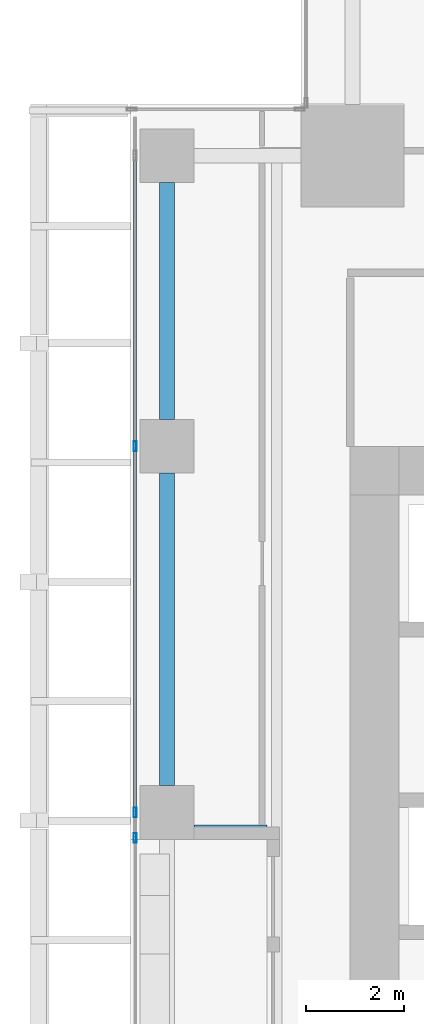
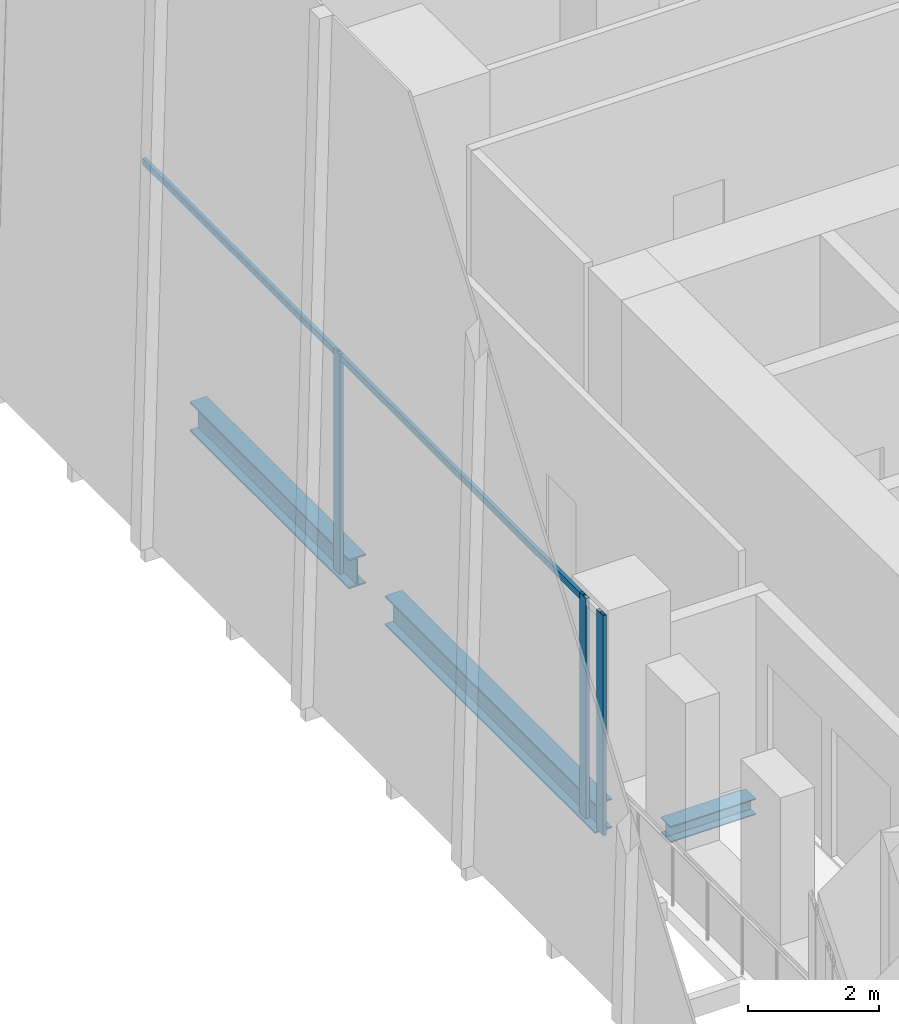
# One storey, part 12 of 35: 5 members, 3 beams, 1 element without a shape of its own.
"""IFC4 building model written with IfcOpenShell, lengths in metres."""

from ifc_helpers import new_model, si_unit, direction, frame, origin, origin_2d, place, context, subcontext, project, spatial, hollow_rectangle, i_section, extrude, source, transform, mapped, material, material_profile, profile_set, type_object, element, aggregate, save


model = new_model("IFC4")

# Units and contexts
model_context = context("Model", 3, precision=1e-05, world=origin(), true_north=direction((0.0, 1.0)))
body_context = subcontext(model_context, "Body", "Model", "MODEL_VIEW")
ifc_project = project(units=[si_unit("LENGTHUNIT", "METRE"), si_unit("AREAUNIT", "SQUARE_METRE"), si_unit("VOLUMEUNIT", "CUBIC_METRE"), si_unit("PLANEANGLEUNIT", "RADIAN"), si_unit("MASSUNIT", "GRAM", prefix="KILO")], contexts=[model_context])

# Site, building, storey
site_placement = place(None, origin())
site = spatial("IfcSite", under=ifc_project, at=site_placement, CompositionType="ELEMENT")
building_placement = place(site_placement, origin())
building = spatial("IfcBuilding", under=site, at=building_placement, Name="Khomas Fold Tower", CompositionType="ELEMENT")
storey_placement = place(building_placement, frame((0.0, 0.0, 127.89990234375)))
storey = spatial("IfcBuildingStorey", under=building, at=storey_placement, Name="L27", CompositionType="ELEMENT", Elevation=127.89990234375)

# Beams
ifc_material_1 = material(Name="Steel S355", Category="steel")
ifc_material_profile_1 = material_profile(ifc_material_1, i_section(OverallWidth=0.300048828125, OverallDepth=0.550048828125, WebThickness=0.014892578125, FlangeThickness=0.029052734375, at=origin_2d()), Name="HE 550 B")
ifc_profile_set_1 = profile_set([ifc_material_profile_1], Name="Steel S355")
beam_type_1 = type_object("IfcBeamType", Name="HE 550 B spandrel SB2", PredefinedType="SPANDREL", material=ifc_profile_set_1)
shared_shape_1 = source(origin(), body_context, "Body", "SweptSolid", [
    extrude(i_section(OverallWidth=0.300048828125, OverallDepth=0.550048828125, WebThickness=0.014892578125, FlangeThickness=0.029052734375, at=origin_2d()), origin(), (0.0, 0.0, 1.0), 4.849853515625),
])
beam_1_placement = place(storey_placement, frame((2.25, 42.550048828125, -0.574951171875), z_axis=(0.0, 1.0, 0.0), x_axis=(-1.0, 0.0, 0.0)))
element("IfcBeam", 1, at=beam_1_placement, inside=storey, type_object=beam_type_1, Name="SB2", PredefinedType="SPANDREL", context=body_context, shape_type="MappedRepresentation", body=[
    mapped(shared_shape_1, transform((0.0, 0.0, 0.0))),
])
shared_shape_2 = source(origin(), body_context, "Body", "SweptSolid", [
    extrude(i_section(OverallWidth=0.300048828125, OverallDepth=0.550048828125, WebThickness=0.014892578125, FlangeThickness=0.029052734375, at=origin_2d()), origin(), (0.0, 0.0, 1.0), 6.39990234375),
])
beam_2_placement = place(storey_placement, frame((2.25, 35.050048828125, -0.574951171875), z_axis=(0.0, 1.0, 0.0), x_axis=(-1.0, 0.0, 0.0)))
element("IfcBeam", 2, at=beam_2_placement, inside=storey, type_object=beam_type_1, Name="SB2", PredefinedType="SPANDREL", context=body_context, shape_type="MappedRepresentation", body=[
    mapped(shared_shape_2, transform((0.0, 0.0, 0.0))),
])
ifc_material_2 = material(Name="Steel S355", Category="steel")
ifc_material_profile_2 = material_profile(ifc_material_2, i_section(OverallWidth=0.300048828125, OverallDepth=0.300048828125, WebThickness=0.010986328125, FlangeThickness=0.01904296875, at=origin_2d()), Name="HE 300 B")
ifc_profile_set_2 = profile_set([ifc_material_profile_2], Name="Steel S355")
beam_type_2 = type_object("IfcBeamType", Name="HE 300 B beam BB1", PredefinedType="BEAM", material=ifc_profile_set_2)
shared_shape_3 = source(origin(), body_context, "Body", "SweptSolid", [
    extrude(i_section(OverallWidth=0.300048828125, OverallDepth=0.300048828125, WebThickness=0.010986328125, FlangeThickness=0.01904296875, at=origin_2d()), origin(), (0.0, 0.0, 1.0), 1.5),
])
beam_3_placement = place(storey_placement, frame((2.800048828125, 34.10009765625, -0.449951171875), z_axis=(1.0, 0.0, 0.0), x_axis=(0.0, 1.0, 0.0)))
element("IfcBeam", 3, at=beam_3_placement, inside=storey, type_object=beam_type_2, Name="BB1", PredefinedType="BEAM", context=body_context, shape_type="MappedRepresentation", body=[
    mapped(shared_shape_3, transform((0.0, 0.0, 0.0))),
])

# Curtain wall, members
ifc_material_3 = material(Name="Aluminium framed double glazing", Category="aluminium")
curtain_wall_type = type_object("IfcCurtainWallType", Name="SK-Unitised clear-glass wall, growing floors CW1", PredefinedType="NOTDEFINED", material=ifc_material_3)
curtain_wall_placement = place(storey_placement, origin())
curtain_wall = element("IfcCurtainWall", 4, at=curtain_wall_placement, inside=storey, type_object=curtain_wall_type, Name="CW1 run L27 09-0", PredefinedType="NOTDEFINED")
ifc_material_4 = material(Name="Aluminium", Category="aluminium")
ifc_material_profile_3 = material_profile(ifc_material_4, hollow_rectangle(XDim=0.06005859375, YDim=0.1201171875, WallThickness=0.00390625, at=origin_2d()), Name="SK-Unitised clear-glass wall, growing floors transom CW1-T")
ifc_profile_set_3 = profile_set([ifc_material_profile_3], Name="Aluminium")
member_type_1 = type_object("IfcMemberType", Name="SK-Unitised clear-glass wall, growing floors transom CW1-T", PredefinedType="USERDEFINED", material=ifc_profile_set_3)
shared_shape_4 = source(origin(), body_context, "Body", "SweptSolid", [
    extrude(hollow_rectangle(XDim=0.06005859375, YDim=0.1201171875, WallThickness=0.00390625, at=origin_2d()), origin(), (0.0, 0.0, 1.0), 7.43994140625),
])
member_1_placement = place(storey_placement, frame((1.60009765625, 41.969970703125, 4.0400390625), z_axis=(0.0, -1.0, 0.0), x_axis=(1.0, 0.0, 0.0)))
member_1 = element("IfcMember", 5, at=member_1_placement, type_object=member_type_1, Name="CW1 transom 3", ObjectType="TRANSOM", PredefinedType="USERDEFINED", context=body_context, shape_type="MappedRepresentation", body=[
    mapped(shared_shape_4, transform((0.0, 0.0, 0.0))),
])
ifc_material_5 = material(Name="Aluminium", Category="aluminium")
ifc_material_profile_4 = material_profile(ifc_material_5, hollow_rectangle(XDim=0.06005859375, YDim=0.199951171875, WallThickness=0.00390625, at=origin_2d()), Name="SK-Unitised clear-glass wall, growing floors mullion CW1-M")
ifc_profile_set_4 = profile_set([ifc_material_profile_4], Name="Aluminium")
member_type_2 = type_object("IfcMemberType", Name="SK-Unitised clear-glass wall, growing floors mullion CW1-M", PredefinedType="MULLION", material=ifc_profile_set_4)
shared_shape_5 = source(origin(), body_context, "Body", "SweptSolid", [
    extrude(hollow_rectangle(XDim=0.06005859375, YDim=0.199951171875, WallThickness=0.00390625, at=origin_2d()), origin(), (0.0, 0.0, 1.0), 4.10009765625),
])
member_2_placement = place(storey_placement, frame((1.60009765625, 42.0, 0.0), z_axis=(0.0, 0.0, 1.0), x_axis=(1.0, 0.0, 0.0)))
member_2 = element("IfcMember", 6, at=member_2_placement, type_object=member_type_2, Name="CW1 mullion 3", PredefinedType="MULLION", context=body_context, shape_type="MappedRepresentation", body=[
    mapped(shared_shape_5, transform((0.0, 0.0, 0.0))),
])
member_3_placement = place(storey_placement, frame((1.60009765625, 34.5, 0.0), z_axis=(0.0, 0.0, 1.0), x_axis=(1.0, 0.0, 0.0)))
member_3 = element("IfcMember", 7, at=member_3_placement, type_object=member_type_2, Name="CW1 mullion 4", PredefinedType="MULLION", context=body_context, shape_type="MappedRepresentation", body=[
    mapped(shared_shape_5, transform((0.0, 0.0, 0.0))),
])
member_4_placement = place(storey_placement, frame((1.60009765625, 33.97998046875, 0.0), z_axis=(0.0, 0.0, 1.0), x_axis=(1.0, 0.0, 0.0)))
member_4 = element("IfcMember", 8, at=member_4_placement, type_object=member_type_2, Name="CW1 mullion 5", PredefinedType="MULLION", context=body_context, shape_type="MappedRepresentation", body=[
    mapped(shared_shape_5, transform((0.0, 0.0, 0.0))),
])
shared_shape_6 = source(origin(), body_context, "Body", "SweptSolid", [
    extrude(hollow_rectangle(XDim=0.06005859375, YDim=0.1201171875, WallThickness=0.00390625, at=origin_2d()), origin(), (0.0, 0.0, 1.0), 5.889892578125),
])
member_5_placement = place(storey_placement, frame((1.60009765625, 47.919921875, 4.0400390625), z_axis=(0.0, -1.0, 0.0), x_axis=(1.0, 0.0, 0.0)))
member_5 = element("IfcMember", 9, at=member_5_placement, type_object=member_type_1, Name="CW1 transom 2", ObjectType="TRANSOM", PredefinedType="USERDEFINED", context=body_context, shape_type="MappedRepresentation", body=[
    mapped(shared_shape_6, transform((0.0, 0.0, 0.0))),
])
aggregate(curtain_wall, [member_2, member_3, member_4, member_5, member_1])

save(model, "model.ifc")
